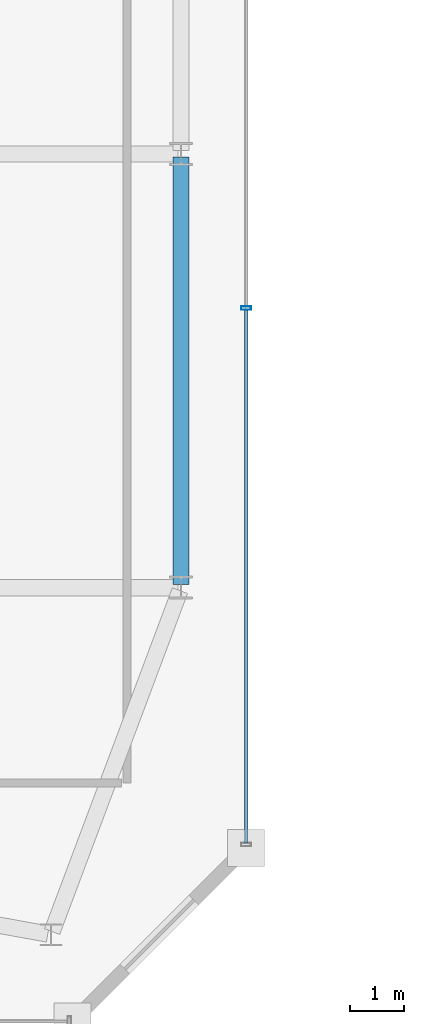
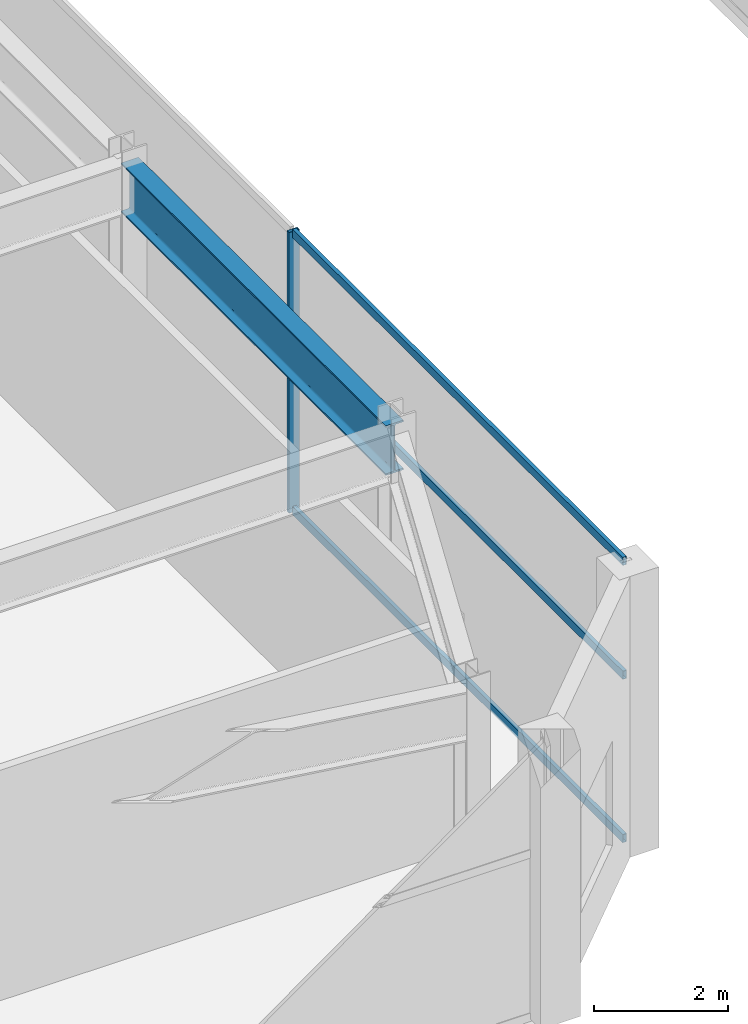
# One storey, part 18 of 52: 4 members, 1 beam, 1 element without a shape of its own.
"""IFC4 building model written with IfcOpenShell, lengths in metres."""

from ifc_helpers import new_model, si_unit, direction, frame, origin, origin_2d, place, context, subcontext, project, spatial, hollow_rectangle, i_section, extrude, material, material_profile, profile_set, type_object, element, aggregate, save


model = new_model("IFC4")

# Units and contexts
model_context = context("Model", 3, precision=1e-05, world=origin(), true_north=direction((0.0, 1.0)))
body_context = subcontext(model_context, "Body", "Model", "MODEL_VIEW")
ifc_project = project(units=[si_unit("LENGTHUNIT", "METRE"), si_unit("AREAUNIT", "SQUARE_METRE"), si_unit("VOLUMEUNIT", "CUBIC_METRE"), si_unit("PLANEANGLEUNIT", "RADIAN"), si_unit("MASSUNIT", "GRAM", prefix="KILO")], contexts=[model_context])

# Site, building, storey
site_placement = place(None, origin())
site = spatial("IfcSite", under=ifc_project, at=site_placement, CompositionType="ELEMENT")
building_placement = place(site_placement, origin())
building = spatial("IfcBuilding", under=site, at=building_placement, Name="Saevonmaru Cultural Tower", CompositionType="ELEMENT")
storey_placement = place(building_placement, frame((0.0, 0.0, 11.39990234375)))
storey = spatial("IfcBuildingStorey", under=building, at=storey_placement, Name="L02", CompositionType="ELEMENT", Elevation=11.39990234375)

# Beam
ifc_material_1 = material(Name="Steel SM420", Category="steel")
ifc_material_profile_1 = material_profile(ifc_material_1, i_section(OverallWidth=0.300048828125, OverallDepth=0.89990234375, WebThickness=0.01611328125, FlangeThickness=0.028076171875, FilletRadius=0.028076171875, at=origin_2d()), Name="H-900x300x16x28")
ifc_profile_set_1 = profile_set([ifc_material_profile_1], Name="Steel SM420")
beam_type = type_object("IfcBeamType", Name="BM-G-H900", PredefinedType="BEAM", material=ifc_profile_set_1)
beam_placement = place(storey_placement, frame((58.800048828125, 8.06005859375, 4.650146484375), z_axis=(0.0, 1.0, 0.0), x_axis=(-1.0, 0.0, 0.0)))
element("IfcBeam", 1, at=beam_placement, inside=storey, type_object=beam_type, Name="BM-POD-PE-1-L02", PredefinedType="BEAM", context=body_context, shape_type="SweptSolid", body=[
    extrude(i_section(OverallWidth=0.300048828125, OverallDepth=0.89990234375, WebThickness=0.01611328125, FlangeThickness=0.028076171875, FilletRadius=0.028076171875, at=origin_2d()), origin(), (0.0, 0.0, 1.0), 7.8798828125),
])

# Curtain wall, members
ifc_material_2 = material(Name="Satin Bronze Anodised Aluminium", Category="aluminium")
curtain_wall_type = type_object("IfcCurtainWallType", Name="CW-POD-GLZ", PredefinedType="NOTDEFINED", material=ifc_material_2)
curtain_wall_placement = place(storey_placement, origin())
curtain_wall = element("IfcCurtainWall", 2, at=curtain_wall_placement, inside=storey, type_object=curtain_wall_type, Name="L02 Saevon Plaza Curtain Wall", PredefinedType="NOTDEFINED")
ifc_material_profile_2 = material_profile(ifc_material_2, hollow_rectangle(XDim=0.06494140625, YDim=0.179931640625, WallThickness=0.00390625, at=origin_2d()), Name="ALU-MULL-180x65x4")
ifc_profile_set_2 = profile_set([ifc_material_profile_2], Name="Satin Bronze Anodised Aluminium")
member_type_1 = type_object("IfcMemberType", Name="ML-CW-180x65", PredefinedType="MULLION", material=ifc_profile_set_2)
member_1_placement = place(storey_placement, frame((60.0, 13.156005859375, 0.0), z_axis=(0.0, 0.0, 1.0), x_axis=(0.0, 1.0, 0.0)))
member_1 = element("IfcMember", 3, at=member_1_placement, type_object=member_type_1, Name="CW-POD-E-L02 mullion 2", PredefinedType="MULLION", context=body_context, shape_type="SweptSolid", body=[
    extrude(hollow_rectangle(XDim=0.06494140625, YDim=0.179931640625, WallThickness=0.00390625, at=origin_2d()), origin(), (0.0, 0.0, 1.0), 5.10009765625),
])
ifc_material_profile_3 = material_profile(ifc_material_2, hollow_rectangle(XDim=0.06494140625, YDim=0.14990234375, WallThickness=0.00390625, at=origin_2d()), Name="ALU-TRAN-150x65x4")
ifc_profile_set_3 = profile_set([ifc_material_profile_3], Name="Satin Bronze Anodised Aluminium")
member_type_2 = type_object("IfcMemberType", Name="TR-CW-150x65", PredefinedType="USERDEFINED", material=ifc_profile_set_3)
member_2_placement = place(storey_placement, frame((60.0, 3.29248046875, 0.03271484375), z_axis=(0.0, 1.0, 0.0), x_axis=(-1.0, 0.0, 0.0)))
member_2 = element("IfcMember", 4, at=member_2_placement, type_object=member_type_2, Name="CW-POD-E-L02 transom 1.1", ObjectType="TRANSOM", PredefinedType="USERDEFINED", context=body_context, shape_type="SweptSolid", body=[
    extrude(hollow_rectangle(XDim=0.06494140625, YDim=0.14990234375, WallThickness=0.00390625, at=origin_2d()), origin(), (0.0, 0.0, 1.0), 9.8310546875),
])
member_3_placement = place(storey_placement, frame((60.0, 3.29248046875, 3.0), z_axis=(0.0, 1.0, 0.0), x_axis=(-1.0, 0.0, 0.0)))
member_3 = element("IfcMember", 5, at=member_3_placement, type_object=member_type_2, Name="CW-POD-E-L02 transom 1.2", ObjectType="TRANSOM", PredefinedType="USERDEFINED", context=body_context, shape_type="SweptSolid", body=[
    extrude(hollow_rectangle(XDim=0.06494140625, YDim=0.14990234375, WallThickness=0.00390625, at=origin_2d()), origin(), (0.0, 0.0, 1.0), 9.8310546875),
])
member_4_placement = place(storey_placement, frame((60.0, 3.29248046875, 5.067626953125), z_axis=(0.0, 1.0, 0.0), x_axis=(-1.0, 0.0, 0.0)))
member_4 = element("IfcMember", 6, at=member_4_placement, type_object=member_type_2, Name="CW-POD-E-L02 transom 1.3", ObjectType="TRANSOM", PredefinedType="USERDEFINED", context=body_context, shape_type="SweptSolid", body=[
    extrude(hollow_rectangle(XDim=0.06494140625, YDim=0.14990234375, WallThickness=0.00390625, at=origin_2d()), origin(), (0.0, 0.0, 1.0), 9.8310546875),
])
aggregate(curtain_wall, [member_1, member_2, member_3, member_4])

save(model, "model.ifc")
